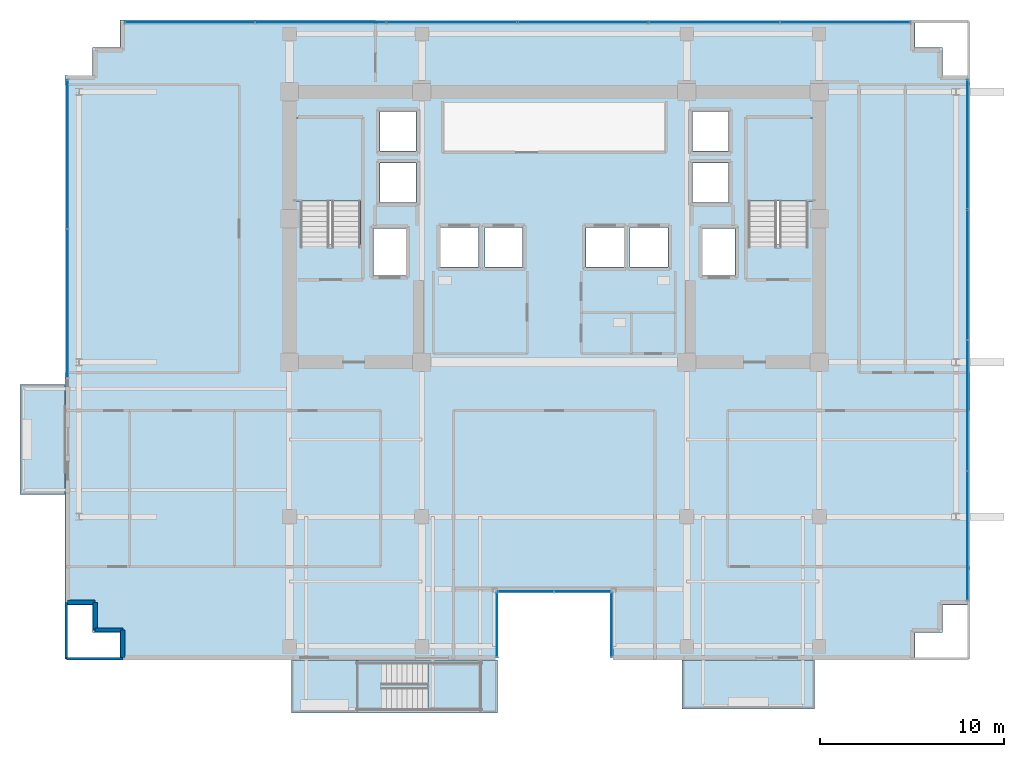
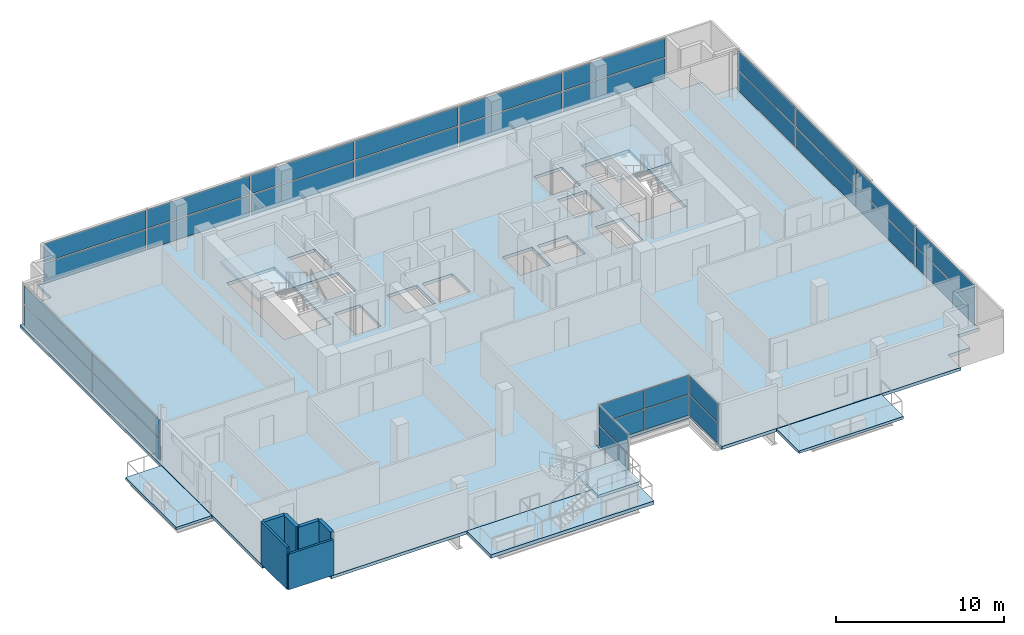
# One storey, part 15 of 23: 32 plates, 7 slabs, 6 walls, 9 elements without a shape of their own.
"""IFC4 building model written with IfcOpenShell, lengths in metres."""

from ifc_helpers import new_model, si_unit, direction, frame, frame_2d, origin, origin_2d, place, context, subcontext, project, spatial, polyline, rectangle, outline, extrude, source, transform, mapped, material, layer, layer_set, type_object, element, aggregate, save


model = new_model("IFC4")

# Units and contexts
model_context = context("Model", 3, precision=1e-05, world=origin(), true_north=direction((0.0, 1.0)))
body_context = subcontext(model_context, "Body", "Model", "MODEL_VIEW")
ifc_project = project(units=[si_unit("LENGTHUNIT", "METRE"), si_unit("AREAUNIT", "SQUARE_METRE"), si_unit("VOLUMEUNIT", "CUBIC_METRE"), si_unit("PLANEANGLEUNIT", "RADIAN"), si_unit("MASSUNIT", "GRAM", prefix="KILO")], contexts=[model_context])

# Site, building, storey
site_placement = place(None, origin())
site = spatial("IfcSite", under=ifc_project, at=site_placement, CompositionType="ELEMENT")
building_placement = place(site_placement, origin())
building = spatial("IfcBuilding", under=site, at=building_placement, Name="Zarnakvel Exchange Tower", CompositionType="ELEMENT")
storey_placement = place(building_placement, frame((0.0, 0.0, 146.199951171875)))
storey = spatial("IfcBuildingStorey", under=building, at=storey_placement, Name="L40", CompositionType="ELEMENT", Elevation=146.199951171875)

# Stair, slab
ifc_material_1 = material(Name="Concrete C40/50", Category="concrete")
stair_type_1 = type_object("IfcStairType", Name="STR-01", PredefinedType="HALF_TURN_STAIR", material=ifc_material_1)
stair_1_placement = place(storey_placement, origin())
stair_1 = element("IfcStair", 1, at=stair_1_placement, inside=storey, type_object=stair_type_1, Name="L40 Protected Core Exit Stair ST-01", PredefinedType="HALF_TURN_STAIR")
ifc_layer_1 = layer(ifc_material_1, 0.199951171875)
ifc_layer_set_1 = layer_set([ifc_layer_1], Name="Concrete C40/50")
slab_type_1 = type_object("IfcSlabType", Name="LDG-01", PredefinedType="LANDING", material=ifc_layer_set_1)
slab_1_placement = place(storey_placement, frame((0.0, 0.0, 1.449951171875)))
slab_1 = element("IfcSlab", 2, at=slab_1_placement, type_object=slab_type_1, Name="ST-01 landing 1", PredefinedType="LANDING", context=body_context, shape_type="SweptSolid", body=[
    extrude(outline(polyline([(-14.18994140625, 7.570068359375), (-10.4599609375, 7.570068359375), (-10.4599609375, 12.080078125), (-14.18994140625, 12.080078125), (-14.18994140625, 7.570068359375)])), origin(), (0.0, 0.0, 1.0), 0.2001953125),
])
aggregate(stair_1, [slab_1])

stair_2_placement = place(storey_placement, origin())
stair_2 = element("IfcStair", 3, at=stair_2_placement, inside=storey, type_object=stair_type_1, Name="L40 Protected Core Exit Stair ST-02", PredefinedType="HALF_TURN_STAIR")
slab_2_placement = place(storey_placement, frame((0.0, 0.0, 1.449951171875)))
slab_2 = element("IfcSlab", 4, at=slab_2_placement, type_object=slab_type_1, Name="ST-02 landing 1", PredefinedType="LANDING", context=body_context, shape_type="SweptSolid", body=[
    extrude(outline(polyline([(10.4599609375, 7.570068359375), (14.18994140625, 7.570068359375), (14.18994140625, 12.080078125), (10.4599609375, 12.080078125), (10.4599609375, 7.570068359375)])), origin(), (0.0, 0.0, 1.0), 0.2001953125),
])
aggregate(stair_2, [slab_2])

stair_type_2 = type_object("IfcStairType", Name="STR-05", PredefinedType="HALF_TURN_STAIR", material=ifc_material_1)
stair_3_placement = place(storey_placement, origin())
stair_3 = element("IfcStair", 5, at=stair_3_placement, inside=storey, type_object=stair_type_2, Name="L40 Spiral Sky-Terrace Connecting Stair ST-11", PredefinedType="HALF_TURN_STAIR")
slab_3_placement = place(storey_placement, frame((0.0, 0.0, 1.449951171875)))
slab_3 = element("IfcSlab", 6, at=slab_3_placement, type_object=slab_type_1, Name="ST-11 landing 1", PredefinedType="LANDING", context=body_context, shape_type="SweptSolid", body=[
    extrude(outline(polyline([(-6.8798828125, -20.139892578125), (-3.949951171875, -20.139892578125), (-3.949951171875, -17.52001953125), (-6.8798828125, -17.52001953125), (-6.8798828125, -20.139892578125)])), origin(), (0.0, 0.0, 1.0), 0.2001953125),
])
aggregate(stair_3, [slab_3])

# Slabs
ifc_layer_2 = layer(ifc_material_1, 0.22509765625)
ifc_layer_set_2 = layer_set([ifc_layer_2], Name="Concrete C40/50")
slab_type_2 = type_object("IfcSlabType", Name="SL-04", PredefinedType="FLOOR", material=ifc_layer_set_2)
slab_4_placement = place(storey_placement, frame((0.0, 0.0, -0.224853515625)))
element("IfcSlab", 7, at=slab_4_placement, inside=storey, type_object=slab_type_2, Name="L40 Primary Structural Floor Slab", PredefinedType="FLOOR", context=body_context, shape_type="SweptSolid", body=[
    extrude(outline(polyline([(-26.60009765625, -14.39990234375), (-25.10009765625, -14.39990234375), (-25.10009765625, -15.89990234375), (-23.60009765625, -15.89990234375), (-23.60009765625, -17.39990234375), (-3.199951171875, -17.39990234375), (-3.199951171875, -13.60009765625), (3.199951171875, -13.60009765625), (3.199951171875, -17.39990234375), (19.60009765625, -17.39990234375), (19.60009765625, -15.89990234375), (21.10009765625, -15.89990234375), (21.10009765625, -14.39990234375), (22.60009765625, -14.39990234375), (22.60009765625, 14.39990234375), (21.10009765625, 14.39990234375), (21.10009765625, 15.89990234375), (19.60009765625, 15.89990234375), (19.60009765625, 17.39990234375), (-23.60009765625, 17.39990234375), (-23.60009765625, 15.89990234375), (-25.10009765625, 15.89990234375), (-25.10009765625, 14.39990234375), (-26.60009765625, 14.39990234375), (-26.60009765625, -14.39990234375)]), holes=[polyline([(-13.800048828125, 5.2099609375), (-10.5400390625, 5.2099609375), (-10.5400390625, 12.0), (-13.800048828125, 12.0), (-13.800048828125, 5.2099609375)]), polyline([(10.5400390625, 5.2099609375), (13.800048828125, 5.2099609375), (13.800048828125, 12.0), (10.5400390625, 12.0), (10.5400390625, 5.2099609375)]), polyline([(-9.830078125, 3.52001953125), (-8.070068359375, 3.52001953125), (-8.070068359375, 6.080078125), (-9.830078125, 6.080078125), (-9.830078125, 3.52001953125)]), polyline([(8.070068359375, 3.52001953125), (9.830078125, 3.52001953125), (9.830078125, 6.080078125), (8.070068359375, 6.080078125), (8.070068359375, 3.52001953125)]), polyline([(-6.179931640625, 3.969970703125), (-4.1201171875, 3.969970703125), (-4.1201171875, 6.1298828125), (-6.179931640625, 6.1298828125), (-6.179931640625, 3.969970703125)]), polyline([(-3.780029296875, 3.969970703125), (-1.719970703125, 3.969970703125), (-1.719970703125, 6.1298828125), (-3.780029296875, 6.1298828125), (-3.780029296875, 3.969970703125)]), polyline([(1.719970703125, 3.969970703125), (3.780029296875, 3.969970703125), (3.780029296875, 6.1298828125), (1.719970703125, 6.1298828125), (1.719970703125, 3.969970703125)]), polyline([(4.1201171875, 3.969970703125), (6.179931640625, 3.969970703125), (6.179931640625, 6.1298828125), (4.1201171875, 6.1298828125), (4.1201171875, 3.969970703125)]), polyline([(-9.47998046875, 7.469970703125), (-7.52001953125, 7.469970703125), (-7.52001953125, 9.6298828125), (-9.47998046875, 9.6298828125), (-9.47998046875, 7.469970703125)]), polyline([(-9.47998046875, 10.27001953125), (-7.52001953125, 10.27001953125), (-7.52001953125, 12.429931640625), (-9.47998046875, 12.429931640625), (-9.47998046875, 10.27001953125)]), polyline([(7.52001953125, 7.469970703125), (9.47998046875, 7.469970703125), (9.47998046875, 9.6298828125), (7.52001953125, 9.6298828125), (7.52001953125, 7.469970703125)]), polyline([(7.52001953125, 10.27001953125), (9.47998046875, 10.27001953125), (9.47998046875, 12.429931640625), (7.52001953125, 12.429931640625), (7.52001953125, 10.27001953125)])]), origin(), (0.0, 0.0, 1.0), 0.224853515625),
])
ifc_layer_3 = layer(ifc_material_1, 0.25)
ifc_layer_set_3 = layer_set([ifc_layer_3], Name="Concrete C40/50")
slab_type_3 = type_object("IfcSlabType", Name="SL-07", PredefinedType="ROOF", material=ifc_layer_set_3)
slab_5_placement = place(storey_placement, frame((0.0, 0.0, -0.25)))
element("IfcSlab", 8, at=slab_5_placement, inside=storey, type_object=slab_type_3, Name="L40 Spiral Sky-Terrace Outdoor Slab (SW)", PredefinedType="ROOF", context=body_context, shape_type="SweptSolid", body=[
    extrude(outline(polyline([(-14.300048828125, -20.260009765625), (-3.10009765625, -20.260009765625), (-3.10009765625, -17.39990234375), (-14.300048828125, -17.39990234375), (-14.300048828125, -20.260009765625)])), origin(), (0.0, 0.0, 1.0), 0.25),
])
ifc_layer_4 = layer(ifc_material_1, 0.18994140625)
ifc_layer_set_4 = layer_set([ifc_layer_4], Name="Concrete C40/50")
slab_type_4 = type_object("IfcSlabType", Name="SL-08", PredefinedType="USERDEFINED", material=ifc_layer_set_4)
slab_6_placement = place(storey_placement, frame((0.0, 0.0, -0.224853515625)))
element("IfcSlab", 9, at=slab_6_placement, inside=storey, type_object=slab_type_4, Name="L40 Planted Loggia Balcony Slab BAL-L40-SE", ObjectType="BALCONY", PredefinedType="USERDEFINED", context=body_context, shape_type="SweptSolid", body=[
    extrude(outline(polyline([(6.949951171875, -20.050048828125), (14.14990234375, -20.050048828125), (14.14990234375, -17.39990234375), (6.949951171875, -17.39990234375), (6.949951171875, -20.050048828125)])), origin(), (0.0, 0.0, 1.0), 0.18994140625),
])
slab_7_placement = place(storey_placement, frame((0.0, 0.0, -0.224853515625)))
element("IfcSlab", 10, at=slab_7_placement, inside=storey, type_object=slab_type_4, Name="L40 Planted Loggia Balcony Slab BAL-L40-W", ObjectType="BALCONY", PredefinedType="USERDEFINED", context=body_context, shape_type="SweptSolid", body=[
    extrude(outline(polyline([(-29.050048828125, -8.39990234375), (-26.60009765625, -8.39990234375), (-26.60009765625, -2.39990234375), (-29.050048828125, -2.39990234375), (-29.050048828125, -8.39990234375)])), origin(), (0.0, 0.0, 1.0), 0.18994140625),
])

# Curtain wall, plate
ifc_material_2 = material(Name="Architectural Bronze Anodised Aluminium", Category="aluminium")
ifc_layer_5 = layer(ifc_material_2, 0.179931640625)
ifc_layer_set_5 = layer_set([ifc_layer_5], Name="Architectural Bronze Anodised Aluminium")
curtain_wall_type_1 = type_object("IfcCurtainWallType", Name="CW-05", PredefinedType="NOTDEFINED", material=ifc_layer_set_5)
curtain_wall_1_placement = place(storey_placement, origin())
curtain_wall_1 = element("IfcCurtainWall", 11, at=curtain_wall_1_placement, inside=storey, type_object=curtain_wall_type_1, Name="L40 Curtain Wall CW-L40-SLW (CW-05)", PredefinedType="NOTDEFINED")
ifc_material_3 = material(Name="Double Low-E Laminated Vision Glass", Category="glass")
ifc_layer_6 = layer(ifc_material_3, 0.02587890625)
ifc_layer_set_6 = layer_set([ifc_layer_6], Name="Double Low-E Laminated Vision Glass")
plate_type_1 = type_object("IfcPlateType", Name="CWP-05", PredefinedType="CURTAIN_PANEL", material=ifc_layer_set_6)
shared_shape_1 = source(origin(), body_context, "Body", "SweptSolid", [
    extrude(rectangle(XDim=3.4599609375, YDim=0.02587890625, at=origin_2d()), origin(), (0.0, 0.0, 1.0), 1.483642578125),
])
plate_1_placement = place(storey_placement, frame((-3.1201171875, -15.47998046875, 0.06982421875), z_axis=(0.0, 0.0, 1.0), x_axis=(0.0, 1.0, 0.0)))
plate_1 = element("IfcPlate", 12, at=plate_1_placement, type_object=plate_type_1, Name="CW-05 panel 1.1", PredefinedType="CURTAIN_PANEL", context=body_context, shape_type="MappedRepresentation", body=[
    mapped(shared_shape_1, transform((0.0, 0.0, 0.0), x_axis=(1.0, 0.0, 0.0), y_axis=(0.0, 1.0, 0.0), z_axis=(0.0, 0.0, 1.0), scale=1.0)),
])

curtain_wall_2_placement = place(storey_placement, origin())
curtain_wall_2 = element("IfcCurtainWall", 13, at=curtain_wall_2_placement, inside=storey, type_object=curtain_wall_type_1, Name="L40 Curtain Wall CW-L40-SLE (CW-05)", PredefinedType="NOTDEFINED")
plate_2_placement = place(storey_placement, frame((3.1201171875, -15.47998046875, 0.06982421875), z_axis=(0.0, 0.0, 1.0), x_axis=(0.0, -1.0, 0.0)))
plate_2 = element("IfcPlate", 14, at=plate_2_placement, type_object=plate_type_1, Name="CW-05 panel 1.1", PredefinedType="CURTAIN_PANEL", context=body_context, shape_type="MappedRepresentation", body=[
    mapped(shared_shape_1, transform((0.0, 0.0, 0.0), x_axis=(1.0, 0.0, 0.0), y_axis=(0.0, 1.0, 0.0), z_axis=(0.0, 0.0, 1.0), scale=1.0)),
])

# Plate
shared_shape_2 = source(origin(), body_context, "Body", "SweptSolid", [
    extrude(rectangle(XDim=3.4599609375, YDim=0.02587890625, at=origin_2d()), origin(), (0.0, 0.0, 1.0), 1.361328125),
])
plate_3_placement = place(storey_placement, frame((-3.1201171875, -15.47998046875, 1.623779296875), z_axis=(0.0, 0.0, 1.0), x_axis=(0.0, 1.0, 0.0)))
plate_3 = element("IfcPlate", 15, at=plate_3_placement, type_object=plate_type_1, Name="CW-05 panel 1.2", PredefinedType="CURTAIN_PANEL", context=body_context, shape_type="MappedRepresentation", body=[
    mapped(shared_shape_2, transform((0.0, 0.0, 0.0), x_axis=(1.0, 0.0, 0.0), y_axis=(0.0, 1.0, 0.0), z_axis=(0.0, 0.0, 1.0), scale=1.0)),
])

aggregate(curtain_wall_1, [plate_1, plate_3])

plate_4_placement = place(storey_placement, frame((3.1201171875, -15.47998046875, 1.623779296875), z_axis=(0.0, 0.0, 1.0), x_axis=(0.0, -1.0, 0.0)))
plate_4 = element("IfcPlate", 16, at=plate_4_placement, type_object=plate_type_1, Name="CW-05 panel 1.2", PredefinedType="CURTAIN_PANEL", context=body_context, shape_type="MappedRepresentation", body=[
    mapped(shared_shape_2, transform((0.0, 0.0, 0.0), x_axis=(1.0, 0.0, 0.0), y_axis=(0.0, 1.0, 0.0), z_axis=(0.0, 0.0, 1.0), scale=1.0)),
])

aggregate(curtain_wall_2, [plate_2, plate_4])

# Curtain wall, plates
curtain_wall_3_placement = place(storey_placement, origin())
curtain_wall_3 = element("IfcCurtainWall", 17, at=curtain_wall_3_placement, inside=storey, type_object=curtain_wall_type_1, Name="L40 Curtain Wall CW-L40-SLB (CW-05)", PredefinedType="NOTDEFINED")
shared_shape_3 = source(origin(), body_context, "Body", "SweptSolid", [
    extrude(rectangle(XDim=3.014892578125, YDim=0.02587890625, at=origin_2d()), origin(), (0.0, 0.0, 1.0), 1.483642578125),
])
plate_5_placement = place(storey_placement, frame((-1.54248046875, -13.679931640625, 0.06982421875), z_axis=(0.0, 0.0, 1.0), x_axis=(1.0, 0.0, 0.0)))
plate_5 = element("IfcPlate", 18, at=plate_5_placement, type_object=plate_type_1, Name="CW-05 panel 1.1", PredefinedType="CURTAIN_PANEL", context=body_context, shape_type="MappedRepresentation", body=[
    mapped(shared_shape_3, transform((0.0, 0.0, 0.0), x_axis=(1.0, 0.0, 0.0), y_axis=(0.0, 1.0, 0.0), z_axis=(0.0, 0.0, 1.0), scale=1.0)),
])
plate_6_placement = place(storey_placement, frame((1.54248046875, -13.679931640625, 0.06982421875), z_axis=(0.0, 0.0, 1.0), x_axis=(1.0, 0.0, 0.0)))
plate_6 = element("IfcPlate", 19, at=plate_6_placement, type_object=plate_type_1, Name="CW-05 panel 2.1", PredefinedType="CURTAIN_PANEL", context=body_context, shape_type="MappedRepresentation", body=[
    mapped(shared_shape_3, transform((0.0, 0.0, 0.0), x_axis=(1.0, 0.0, 0.0), y_axis=(0.0, 1.0, 0.0), z_axis=(0.0, 0.0, 1.0), scale=1.0)),
])
shared_shape_4 = source(origin(), body_context, "Body", "SweptSolid", [
    extrude(rectangle(XDim=3.014892578125, YDim=0.02587890625, at=origin_2d()), origin(), (0.0, 0.0, 1.0), 1.361328125),
])
plate_7_placement = place(storey_placement, frame((-1.54248046875, -13.679931640625, 1.623779296875), z_axis=(0.0, 0.0, 1.0), x_axis=(1.0, 0.0, 0.0)))
plate_7 = element("IfcPlate", 20, at=plate_7_placement, type_object=plate_type_1, Name="CW-05 panel 1.2", PredefinedType="CURTAIN_PANEL", context=body_context, shape_type="MappedRepresentation", body=[
    mapped(shared_shape_4, transform((0.0, 0.0, 0.0), x_axis=(1.0, 0.0, 0.0), y_axis=(0.0, 1.0, 0.0), z_axis=(0.0, 0.0, 1.0), scale=1.0)),
])
plate_8_placement = place(storey_placement, frame((1.54248046875, -13.679931640625, 1.623779296875), z_axis=(0.0, 0.0, 1.0), x_axis=(1.0, 0.0, 0.0)))
plate_8 = element("IfcPlate", 21, at=plate_8_placement, type_object=plate_type_1, Name="CW-05 panel 2.2", PredefinedType="CURTAIN_PANEL", context=body_context, shape_type="MappedRepresentation", body=[
    mapped(shared_shape_4, transform((0.0, 0.0, 0.0), x_axis=(1.0, 0.0, 0.0), y_axis=(0.0, 1.0, 0.0), z_axis=(0.0, 0.0, 1.0), scale=1.0)),
])
aggregate(curtain_wall_3, [plate_5, plate_7, plate_6, plate_8])

ifc_layer_7 = layer(ifc_material_2, 0.219970703125)
ifc_layer_set_7 = layer_set([ifc_layer_7], Name="Architectural Bronze Anodised Aluminium")
curtain_wall_type_2 = type_object("IfcCurtainWallType", Name="CW-03", PredefinedType="NOTDEFINED", material=ifc_layer_set_7)
curtain_wall_4_placement = place(storey_placement, origin())
curtain_wall_4 = element("IfcCurtainWall", 22, at=curtain_wall_4_placement, inside=storey, type_object=curtain_wall_type_2, Name="L40 Curtain Wall CW-L40-N1 (CW-03)", PredefinedType="NOTDEFINED")
ifc_layer_8 = layer(ifc_material_3, 0.030029296875)
ifc_layer_set_8 = layer_set([ifc_layer_8], Name="Double Low-E Laminated Vision Glass")
plate_type_2 = type_object("IfcPlateType", Name="CWP-03", PredefinedType="CURTAIN_PANEL", material=ifc_layer_set_8)
shared_shape_5 = source(origin(), body_context, "Body", "SweptSolid", [
    extrude(rectangle(XDim=7.013427734375, YDim=0.030029296875, at=origin_2d()), origin(), (0.0, 0.0, 1.0), 1.468505859375),
])
plate_9_placement = place(storey_placement, frame((-19.813232421875, 17.260009765625, 0.080078125), z_axis=(0.0, 0.0, 1.0), x_axis=(1.0, 0.0, 0.0)))
plate_9 = element("IfcPlate", 23, at=plate_9_placement, type_object=plate_type_2, Name="CW-03 panel 1.1", PredefinedType="CURTAIN_PANEL", context=body_context, shape_type="MappedRepresentation", body=[
    mapped(shared_shape_5, transform((0.0, 0.0, 0.0), x_axis=(1.0, 0.0, 0.0), y_axis=(0.0, 1.0, 0.0), z_axis=(0.0, 0.0, 1.0), scale=1.0)),
])
plate_10_placement = place(storey_placement, frame((15.813232421875, 17.260009765625, 0.080078125), z_axis=(0.0, 0.0, 1.0), x_axis=(1.0, 0.0, 0.0)))
plate_10 = element("IfcPlate", 24, at=plate_10_placement, type_object=plate_type_2, Name="CW-03 panel 6.1", PredefinedType="CURTAIN_PANEL", context=body_context, shape_type="MappedRepresentation", body=[
    mapped(shared_shape_5, transform((0.0, 0.0, 0.0), x_axis=(1.0, 0.0, 0.0), y_axis=(0.0, 1.0, 0.0), z_axis=(0.0, 0.0, 1.0), scale=1.0)),
])
shared_shape_6 = source(origin(), body_context, "Body", "SweptSolid", [
    extrude(rectangle(XDim=7.013427734375, YDim=0.030029296875, at=origin_2d()), origin(), (0.0, 0.0, 1.0), 1.346435546875),
])
plate_11_placement = place(storey_placement, frame((-19.813232421875, 17.260009765625, 1.62841796875), z_axis=(0.0, 0.0, 1.0), x_axis=(1.0, 0.0, 0.0)))
plate_11 = element("IfcPlate", 25, at=plate_11_placement, type_object=plate_type_2, Name="CW-03 panel 1.2", PredefinedType="CURTAIN_PANEL", context=body_context, shape_type="MappedRepresentation", body=[
    mapped(shared_shape_6, transform((0.0, 0.0, 0.0), x_axis=(1.0, 0.0, 0.0), y_axis=(0.0, 1.0, 0.0), z_axis=(0.0, 0.0, 1.0), scale=1.0)),
])
plate_12_placement = place(storey_placement, frame((15.813232421875, 17.260009765625, 1.62841796875), z_axis=(0.0, 0.0, 1.0), x_axis=(1.0, 0.0, 0.0)))
plate_12 = element("IfcPlate", 26, at=plate_12_placement, type_object=plate_type_2, Name="CW-03 panel 6.2", PredefinedType="CURTAIN_PANEL", context=body_context, shape_type="MappedRepresentation", body=[
    mapped(shared_shape_6, transform((0.0, 0.0, 0.0), x_axis=(1.0, 0.0, 0.0), y_axis=(0.0, 1.0, 0.0), z_axis=(0.0, 0.0, 1.0), scale=1.0)),
])
shared_shape_7 = source(origin(), body_context, "Body", "SweptSolid", [
    extrude(rectangle(XDim=7.05322265625, YDim=0.030029296875, at=origin_2d()), origin(), (0.0, 0.0, 1.0), 1.468505859375),
])
plate_13_placement = place(storey_placement, frame((-12.699951171875, 17.260009765625, 0.080078125), z_axis=(0.0, 0.0, 1.0), x_axis=(1.0, 0.0, 0.0)))
plate_13 = element("IfcPlate", 27, at=plate_13_placement, type_object=plate_type_2, Name="CW-03 panel 2.1", PredefinedType="CURTAIN_PANEL", context=body_context, shape_type="MappedRepresentation", body=[
    mapped(shared_shape_7, transform((0.0, 0.0, 0.0), x_axis=(1.0, 0.0, 0.0), y_axis=(0.0, 1.0, 0.0), z_axis=(0.0, 0.0, 1.0), scale=1.0)),
])
plate_14_placement = place(storey_placement, frame((-5.566650390625, 17.260009765625, 0.080078125), z_axis=(0.0, 0.0, 1.0), x_axis=(1.0, 0.0, 0.0)))
plate_14 = element("IfcPlate", 28, at=plate_14_placement, type_object=plate_type_2, Name="CW-03 panel 3.1", PredefinedType="CURTAIN_PANEL", context=body_context, shape_type="MappedRepresentation", body=[
    mapped(shared_shape_7, transform((0.0, 0.0, 0.0), x_axis=(1.0, 0.0, 0.0), y_axis=(0.0, 1.0, 0.0), z_axis=(0.0, 0.0, 1.0), scale=1.0)),
])
plate_15_placement = place(storey_placement, frame((1.566650390625, 17.260009765625, 0.080078125), z_axis=(0.0, 0.0, 1.0), x_axis=(1.0, 0.0, 0.0)))
plate_15 = element("IfcPlate", 29, at=plate_15_placement, type_object=plate_type_2, Name="CW-03 panel 4.1", PredefinedType="CURTAIN_PANEL", context=body_context, shape_type="MappedRepresentation", body=[
    mapped(shared_shape_7, transform((0.0, 0.0, 0.0), x_axis=(1.0, 0.0, 0.0), y_axis=(0.0, 1.0, 0.0), z_axis=(0.0, 0.0, 1.0), scale=1.0)),
])
plate_16_placement = place(storey_placement, frame((8.699951171875, 17.260009765625, 0.080078125), z_axis=(0.0, 0.0, 1.0), x_axis=(1.0, 0.0, 0.0)))
plate_16 = element("IfcPlate", 30, at=plate_16_placement, type_object=plate_type_2, Name="CW-03 panel 5.1", PredefinedType="CURTAIN_PANEL", context=body_context, shape_type="MappedRepresentation", body=[
    mapped(shared_shape_7, transform((0.0, 0.0, 0.0), x_axis=(1.0, 0.0, 0.0), y_axis=(0.0, 1.0, 0.0), z_axis=(0.0, 0.0, 1.0), scale=1.0)),
])
shared_shape_8 = source(origin(), body_context, "Body", "SweptSolid", [
    extrude(rectangle(XDim=7.05322265625, YDim=0.030029296875, at=origin_2d()), origin(), (0.0, 0.0, 1.0), 1.346435546875),
])
plate_17_placement = place(storey_placement, frame((-12.699951171875, 17.260009765625, 1.62841796875), z_axis=(0.0, 0.0, 1.0), x_axis=(1.0, 0.0, 0.0)))
plate_17 = element("IfcPlate", 31, at=plate_17_placement, type_object=plate_type_2, Name="CW-03 panel 2.2", PredefinedType="CURTAIN_PANEL", context=body_context, shape_type="MappedRepresentation", body=[
    mapped(shared_shape_8, transform((0.0, 0.0, 0.0), x_axis=(1.0, 0.0, 0.0), y_axis=(0.0, 1.0, 0.0), z_axis=(0.0, 0.0, 1.0), scale=1.0)),
])
plate_18_placement = place(storey_placement, frame((-5.566650390625, 17.260009765625, 1.62841796875), z_axis=(0.0, 0.0, 1.0), x_axis=(1.0, 0.0, 0.0)))
plate_18 = element("IfcPlate", 32, at=plate_18_placement, type_object=plate_type_2, Name="CW-03 panel 3.2", PredefinedType="CURTAIN_PANEL", context=body_context, shape_type="MappedRepresentation", body=[
    mapped(shared_shape_8, transform((0.0, 0.0, 0.0), x_axis=(1.0, 0.0, 0.0), y_axis=(0.0, 1.0, 0.0), z_axis=(0.0, 0.0, 1.0), scale=1.0)),
])
plate_19_placement = place(storey_placement, frame((1.566650390625, 17.260009765625, 1.62841796875), z_axis=(0.0, 0.0, 1.0), x_axis=(1.0, 0.0, 0.0)))
plate_19 = element("IfcPlate", 33, at=plate_19_placement, type_object=plate_type_2, Name="CW-03 panel 4.2", PredefinedType="CURTAIN_PANEL", context=body_context, shape_type="MappedRepresentation", body=[
    mapped(shared_shape_8, transform((0.0, 0.0, 0.0), x_axis=(1.0, 0.0, 0.0), y_axis=(0.0, 1.0, 0.0), z_axis=(0.0, 0.0, 1.0), scale=1.0)),
])
plate_20_placement = place(storey_placement, frame((8.699951171875, 17.260009765625, 1.62841796875), z_axis=(0.0, 0.0, 1.0), x_axis=(1.0, 0.0, 0.0)))
plate_20 = element("IfcPlate", 34, at=plate_20_placement, type_object=plate_type_2, Name="CW-03 panel 5.2", PredefinedType="CURTAIN_PANEL", context=body_context, shape_type="MappedRepresentation", body=[
    mapped(shared_shape_8, transform((0.0, 0.0, 0.0), x_axis=(1.0, 0.0, 0.0), y_axis=(0.0, 1.0, 0.0), z_axis=(0.0, 0.0, 1.0), scale=1.0)),
])
aggregate(curtain_wall_4, [plate_9, plate_11, plate_13, plate_17, plate_14, plate_18, plate_15, plate_19, plate_16, plate_20, plate_10, plate_12])

ifc_layer_9 = layer(ifc_material_2, 0.199951171875)
ifc_layer_set_9 = layer_set([ifc_layer_9], Name="Architectural Bronze Anodised Aluminium")
curtain_wall_type_3 = type_object("IfcCurtainWallType", Name="CW-04", PredefinedType="NOTDEFINED", material=ifc_layer_set_9)
curtain_wall_5_placement = place(storey_placement, origin())
curtain_wall_5 = element("IfcCurtainWall", 35, at=curtain_wall_5_placement, inside=storey, type_object=curtain_wall_type_3, Name="L40 Curtain Wall CW-L40-WN (CW-04)", PredefinedType="NOTDEFINED")
ifc_layer_10 = layer(ifc_material_3, 0.028076171875)
ifc_layer_set_10 = layer_set([ifc_layer_10], Name="Double Low-E Laminated Vision Glass")
plate_type_3 = type_object("IfcPlateType", Name="CWP-04", PredefinedType="CURTAIN_PANEL", material=ifc_layer_set_10)
shared_shape_9 = source(origin(), body_context, "Body", "SweptSolid", [
    extrude(rectangle(XDim=8.03759765625, YDim=0.028076171875, at=origin_2d()), origin(), (0.0, 0.0, 1.0), 1.47607421875),
])
plate_21_placement = place(storey_placement, frame((-26.4599609375, 1.99365234375, 0.074951171875), z_axis=(0.0, 0.0, 1.0), x_axis=(0.0, 1.0, 0.0)))
plate_21 = element("IfcPlate", 36, at=plate_21_placement, type_object=plate_type_3, Name="CW-04 panel 1.1", PredefinedType="CURTAIN_PANEL", context=body_context, shape_type="MappedRepresentation", body=[
    mapped(shared_shape_9, transform((0.0, 0.0, 0.0), x_axis=(1.0, 0.0, 0.0), y_axis=(0.0, 1.0, 0.0), z_axis=(0.0, 0.0, 1.0), scale=1.0)),
])
plate_22_placement = place(storey_placement, frame((-26.4599609375, 10.106201171875, 0.074951171875), z_axis=(0.0, 0.0, 1.0), x_axis=(0.0, 1.0, 0.0)))
plate_22 = element("IfcPlate", 37, at=plate_22_placement, type_object=plate_type_3, Name="CW-04 panel 2.1", PredefinedType="CURTAIN_PANEL", context=body_context, shape_type="MappedRepresentation", body=[
    mapped(shared_shape_9, transform((0.0, 0.0, 0.0), x_axis=(1.0, 0.0, 0.0), y_axis=(0.0, 1.0, 0.0), z_axis=(0.0, 0.0, 1.0), scale=1.0)),
])
shared_shape_10 = source(origin(), body_context, "Body", "SweptSolid", [
    extrude(rectangle(XDim=8.03759765625, YDim=0.028076171875, at=origin_2d()), origin(), (0.0, 0.0, 1.0), 1.35400390625),
])
plate_23_placement = place(storey_placement, frame((-26.4599609375, 1.99365234375, 1.6259765625), z_axis=(0.0, 0.0, 1.0), x_axis=(0.0, 1.0, 0.0)))
plate_23 = element("IfcPlate", 38, at=plate_23_placement, type_object=plate_type_3, Name="CW-04 panel 1.2", PredefinedType="CURTAIN_PANEL", context=body_context, shape_type="MappedRepresentation", body=[
    mapped(shared_shape_10, transform((0.0, 0.0, 0.0), x_axis=(1.0, 0.0, 0.0), y_axis=(0.0, 1.0, 0.0), z_axis=(0.0, 0.0, 1.0), scale=1.0)),
])
plate_24_placement = place(storey_placement, frame((-26.4599609375, 10.106201171875, 1.6259765625), z_axis=(0.0, 0.0, 1.0), x_axis=(0.0, 1.0, 0.0)))
plate_24 = element("IfcPlate", 39, at=plate_24_placement, type_object=plate_type_3, Name="CW-04 panel 2.2", PredefinedType="CURTAIN_PANEL", context=body_context, shape_type="MappedRepresentation", body=[
    mapped(shared_shape_10, transform((0.0, 0.0, 0.0), x_axis=(1.0, 0.0, 0.0), y_axis=(0.0, 1.0, 0.0), z_axis=(0.0, 0.0, 1.0), scale=1.0)),
])
aggregate(curtain_wall_5, [plate_21, plate_23, plate_22, plate_24])

curtain_wall_6_placement = place(storey_placement, origin())
curtain_wall_6 = element("IfcCurtainWall", 40, at=curtain_wall_6_placement, inside=storey, type_object=curtain_wall_type_3, Name="L40 Curtain Wall CW-L40-E1 (CW-04)", PredefinedType="NOTDEFINED")
shared_shape_11 = source(origin(), body_context, "Body", "SweptSolid", [
    extrude(rectangle(XDim=6.987548828125, YDim=0.028076171875, at=origin_2d()), origin(), (0.0, 0.0, 1.0), 1.47607421875),
])
plate_25_placement = place(storey_placement, frame((22.4599609375, -10.63134765625, 0.074951171875), z_axis=(0.0, 0.0, 1.0), x_axis=(0.0, 1.0, 0.0)))
plate_25 = element("IfcPlate", 41, at=plate_25_placement, type_object=plate_type_3, Name="CW-04 panel 1.1", PredefinedType="CURTAIN_PANEL", context=body_context, shape_type="MappedRepresentation", body=[
    mapped(shared_shape_11, transform((0.0, 0.0, 0.0), x_axis=(1.0, 0.0, 0.0), y_axis=(0.0, 1.0, 0.0), z_axis=(0.0, 0.0, 1.0), scale=1.0)),
])
plate_26_placement = place(storey_placement, frame((22.4599609375, 10.63134765625, 0.074951171875), z_axis=(0.0, 0.0, 1.0), x_axis=(0.0, 1.0, 0.0)))
plate_26 = element("IfcPlate", 42, at=plate_26_placement, type_object=plate_type_3, Name="CW-04 panel 4.1", PredefinedType="CURTAIN_PANEL", context=body_context, shape_type="MappedRepresentation", body=[
    mapped(shared_shape_11, transform((0.0, 0.0, 0.0), x_axis=(1.0, 0.0, 0.0), y_axis=(0.0, 1.0, 0.0), z_axis=(0.0, 0.0, 1.0), scale=1.0)),
])
shared_shape_12 = source(origin(), body_context, "Body", "SweptSolid", [
    extrude(rectangle(XDim=6.987548828125, YDim=0.028076171875, at=origin_2d()), origin(), (0.0, 0.0, 1.0), 1.35400390625),
])
plate_27_placement = place(storey_placement, frame((22.4599609375, -10.63134765625, 1.6259765625), z_axis=(0.0, 0.0, 1.0), x_axis=(0.0, 1.0, 0.0)))
plate_27 = element("IfcPlate", 43, at=plate_27_placement, type_object=plate_type_3, Name="CW-04 panel 1.2", PredefinedType="CURTAIN_PANEL", context=body_context, shape_type="MappedRepresentation", body=[
    mapped(shared_shape_12, transform((0.0, 0.0, 0.0), x_axis=(1.0, 0.0, 0.0), y_axis=(0.0, 1.0, 0.0), z_axis=(0.0, 0.0, 1.0), scale=1.0)),
])
plate_28_placement = place(storey_placement, frame((22.4599609375, 10.63134765625, 1.6259765625), z_axis=(0.0, 0.0, 1.0), x_axis=(0.0, 1.0, 0.0)))
plate_28 = element("IfcPlate", 44, at=plate_28_placement, type_object=plate_type_3, Name="CW-04 panel 4.2", PredefinedType="CURTAIN_PANEL", context=body_context, shape_type="MappedRepresentation", body=[
    mapped(shared_shape_12, transform((0.0, 0.0, 0.0), x_axis=(1.0, 0.0, 0.0), y_axis=(0.0, 1.0, 0.0), z_axis=(0.0, 0.0, 1.0), scale=1.0)),
])
shared_shape_13 = source(origin(), body_context, "Body", "SweptSolid", [
    extrude(rectangle(XDim=7.02490234375, YDim=0.028076171875, at=origin_2d()), origin(), (0.0, 0.0, 1.0), 1.47607421875),
])
plate_29_placement = place(storey_placement, frame((22.4599609375, -3.550048828125, 0.074951171875), z_axis=(0.0, 0.0, 1.0), x_axis=(0.0, 1.0, 0.0)))
plate_29 = element("IfcPlate", 45, at=plate_29_placement, type_object=plate_type_3, Name="CW-04 panel 2.1", PredefinedType="CURTAIN_PANEL", context=body_context, shape_type="MappedRepresentation", body=[
    mapped(shared_shape_13, transform((0.0, 0.0, 0.0), x_axis=(1.0, 0.0, 0.0), y_axis=(0.0, 1.0, 0.0), z_axis=(0.0, 0.0, 1.0), scale=1.0)),
])
plate_30_placement = place(storey_placement, frame((22.4599609375, 3.550048828125, 0.074951171875), z_axis=(0.0, 0.0, 1.0), x_axis=(0.0, 1.0, 0.0)))
plate_30 = element("IfcPlate", 46, at=plate_30_placement, type_object=plate_type_3, Name="CW-04 panel 3.1", PredefinedType="CURTAIN_PANEL", context=body_context, shape_type="MappedRepresentation", body=[
    mapped(shared_shape_13, transform((0.0, 0.0, 0.0), x_axis=(1.0, 0.0, 0.0), y_axis=(0.0, 1.0, 0.0), z_axis=(0.0, 0.0, 1.0), scale=1.0)),
])
shared_shape_14 = source(origin(), body_context, "Body", "SweptSolid", [
    extrude(rectangle(XDim=7.02490234375, YDim=0.028076171875, at=origin_2d()), origin(), (0.0, 0.0, 1.0), 1.35400390625),
])
plate_31_placement = place(storey_placement, frame((22.4599609375, -3.550048828125, 1.6259765625), z_axis=(0.0, 0.0, 1.0), x_axis=(0.0, 1.0, 0.0)))
plate_31 = element("IfcPlate", 47, at=plate_31_placement, type_object=plate_type_3, Name="CW-04 panel 2.2", PredefinedType="CURTAIN_PANEL", context=body_context, shape_type="MappedRepresentation", body=[
    mapped(shared_shape_14, transform((0.0, 0.0, 0.0), x_axis=(1.0, 0.0, 0.0), y_axis=(0.0, 1.0, 0.0), z_axis=(0.0, 0.0, 1.0), scale=1.0)),
])
plate_32_placement = place(storey_placement, frame((22.4599609375, 3.550048828125, 1.6259765625), z_axis=(0.0, 0.0, 1.0), x_axis=(0.0, 1.0, 0.0)))
plate_32 = element("IfcPlate", 48, at=plate_32_placement, type_object=plate_type_3, Name="CW-04 panel 3.2", PredefinedType="CURTAIN_PANEL", context=body_context, shape_type="MappedRepresentation", body=[
    mapped(shared_shape_14, transform((0.0, 0.0, 0.0), x_axis=(1.0, 0.0, 0.0), y_axis=(0.0, 1.0, 0.0), z_axis=(0.0, 0.0, 1.0), scale=1.0)),
])
aggregate(curtain_wall_6, [plate_25, plate_27, plate_29, plate_31, plate_30, plate_32, plate_26, plate_28])

# Walls
ifc_material_4 = material(Name="Precast concrete C40/50", Category="concrete")
ifc_layer_11 = layer(ifc_material_4, 0.239990234375)
ifc_layer_set_11 = layer_set([ifc_layer_11], Name="Precast concrete C40/50")
wall_type_1 = type_object("IfcWallType", Name="EW-02", PredefinedType="SOLIDWALL", material=ifc_layer_set_11)
for number, where, z_axis, x_axis, name in (
    (49, (-23.4599609375, -15.760009765625, 0.0), (0.0, 0.0, 1.0), (0.0, -1.0, 0.0), "L40 Exterior Precast Spandrel Wall EWC-L40-22 (EW-02)"),
    (50, (-24.9599609375, -15.760009765625, 0.0), (0.0, 0.0, 1.0), (1.0, 0.0, 0.0), "L40 Exterior Precast Spandrel Wall EWC-L40-23 (EW-02)"),
    (51, (-24.9599609375, -14.260009765625, 0.0), (0.0, 0.0, 1.0), (0.0, -1.0, 0.0), "L40 Exterior Precast Spandrel Wall EWC-L40-24 (EW-02)"),
    (52, (-26.4599609375, -14.260009765625, 0.0), (0.0, 0.0, 1.0), (1.0, 0.0, 0.0), "L40 Exterior Precast Spandrel Wall EWC-L40-25 (EW-02)"),
):
    element("IfcWall", number, at=place(storey_placement, frame(where, z_axis=z_axis, x_axis=x_axis)), inside=storey, type_object=wall_type_1, Name=name, PredefinedType="SOLIDWALL", context=body_context, shape_type="SweptSolid", body=[
        extrude(rectangle(XDim=1.5, YDim=0.239990234375, at=frame_2d((0.75, 0.0))), origin(), (0.0, 0.0, 1.0), 3.074951171875),
    ])
ifc_material_5 = material(Name="Fire-Rated Gypsum Stud Partition", Category="gypsum")
ifc_layer_12 = layer(ifc_material_5, 0.14990234375)
ifc_layer_set_12 = layer_set([ifc_layer_12], Name="Fire-Rated Gypsum Stud Partition")
wall_type_2 = type_object("IfcWallType", Name="PT-01", PredefinedType="PARTITIONING", material=ifc_layer_set_12)
wall_1_placement = place(storey_placement, frame((-23.4599609375, -17.330078125, 0.0), z_axis=(0.0, 0.0, 1.0), x_axis=(-1.0, 0.0, 0.0)))
element("IfcWall", 53, at=wall_1_placement, inside=storey, type_object=wall_type_2, Name="L40 Partition Wall PWALL-L40-035 (PT-01)", PredefinedType="PARTITIONING", context=body_context, shape_type="SweptSolid", body=[
    extrude(rectangle(XDim=3.070068359375, YDim=0.14990234375, at=frame_2d((1.53515625, 0.0))), origin(), (0.0, 0.0, 1.0), 2.590087890625),
])
wall_2_placement = place(storey_placement, frame((-26.530029296875, -17.330078125, 0.0), z_axis=(0.0, 0.0, 1.0), x_axis=(0.0, 1.0, 0.0)))
element("IfcWall", 54, at=wall_2_placement, inside=storey, type_object=wall_type_2, Name="L40 Partition Wall PWALL-L40-036 (PT-01)", PredefinedType="PARTITIONING", context=body_context, shape_type="SweptSolid", body=[
    extrude(rectangle(XDim=3.070068359375, YDim=0.14990234375, at=frame_2d((1.53515625, 0.0))), origin(), (0.0, 0.0, 1.0), 3.074951171875),
])

save(model, "model.ifc")
